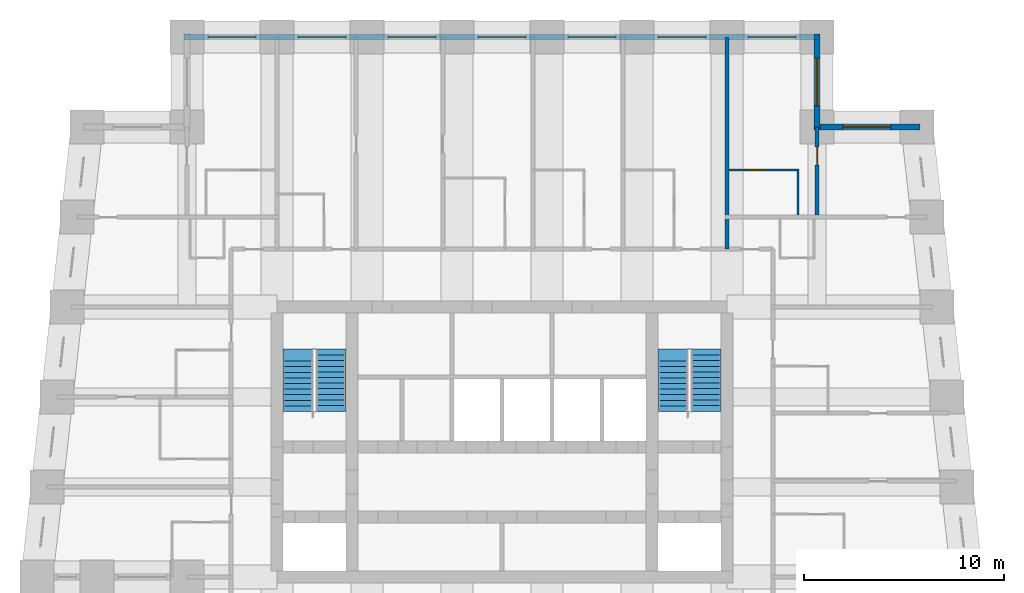
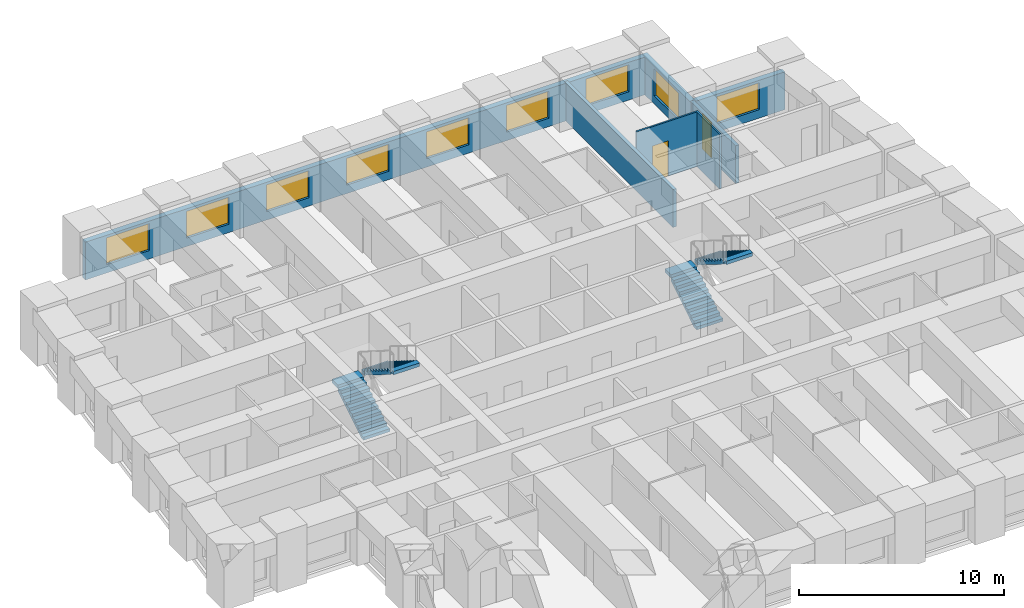
# One storey, part 7 of 8: 9 windows, 7 walls, 4 stair flights, 2 doors, 11 openings, 2 elements without a shape of their own.
"""IFC4 building model written with IfcOpenShell, lengths in metres."""

from ifc_helpers import new_model, si_unit, direction, frame, frame_2d, origin, place, context, subcontext, project, spatial, polyline, rectangle, outline, extrude, material, layer, layer_set, type_object, element, fill, aggregate, save


model = new_model("IFC4")

# Units and contexts
model_context = context("Model", 3, precision=1e-05, world=origin(), true_north=direction((0.0, 1.0)))
body_context = subcontext(model_context, "Body", "Model", "MODEL_VIEW")
ifc_project = project(units=[si_unit("LENGTHUNIT", "METRE"), si_unit("AREAUNIT", "SQUARE_METRE"), si_unit("VOLUMEUNIT", "CUBIC_METRE"), si_unit("PLANEANGLEUNIT", "RADIAN"), si_unit("MASSUNIT", "GRAM", prefix="KILO")], contexts=[model_context])

# Site, building, storey
site_placement = place(None, origin())
site = spatial("IfcSite", under=ifc_project, at=site_placement, CompositionType="ELEMENT")
building_placement = place(site_placement, origin())
building = spatial("IfcBuilding", under=site, at=building_placement, Name="Kilele Tower Hotel", CompositionType="ELEMENT")
storey_placement = place(building_placement, frame((0.0, 0.0, 179.89990234375)))
storey = spatial("IfcBuildingStorey", under=building, at=storey_placement, Name="L46", CompositionType="ELEMENT", Elevation=179.89990234375)

# Wall
ifc_material_1 = material(Name="Moisture-resistant board")
ifc_layer_1 = layer(ifc_material_1, 0.10009765625)
ifc_layer_set_1 = layer_set([ifc_layer_1], Name="Moisture-resistant board")
wall_type_1 = type_object("IfcWallType", Name="Bathroom partition 100", PredefinedType="PLUMBINGWALL", material=ifc_layer_set_1)
wall_1_placement = place(storey_placement, frame((39.550048828125, 31.60009765625, 0.0), z_axis=(0.0, 0.0, 1.0), x_axis=(0.0, 1.0, 0.0)))
element("IfcWall", 1, at=wall_1_placement, inside=storey, type_object=wall_type_1, Name="Bathroom partition 100 L46", PredefinedType="PLUMBINGWALL", context=body_context, shape_type="SweptSolid", body=[
    extrude(rectangle(XDim=2.2998046875, YDim=0.10009765625, at=frame_2d((1.14990234375, 0.0))), origin(), (0.0, 0.0, 1.0), 3.25),
])

# Wall, opening, door
wall_2_placement = place(storey_placement, frame((36.10009765625, 33.85009765625, 0.0), z_axis=(0.0, 0.0, 1.0), x_axis=(1.0, 0.0, 0.0)))
wall_2 = element("IfcWall", 2, at=wall_2_placement, inside=storey, type_object=wall_type_1, Name="Bathroom partition 100 L46", PredefinedType="PLUMBINGWALL", context=body_context, shape_type="SweptSolid", body=[
    extrude(rectangle(XDim=3.5, YDim=0.10009765625, at=frame_2d((1.75, 0.0))), origin(), (0.0, 0.0, 1.0), 3.25),
])
opening_1_placement = place(wall_2_placement, frame((0.89990234375, 0.0, 0.0)))
opening_1 = element("IfcOpeningElement", 3, at=opening_1_placement, cuts=wall_2, Name="Opening D2A", PredefinedType="OPENING", context=body_context, shape_type="SweptSolid", body=[
    extrude(rectangle(XDim=0.89990234375, YDim=2.10009765625, at=frame_2d((0.449951171875, 1.050048828125))), frame((0.0, 0.06005859375, 0.0), z_axis=(0.0, -1.0, 0.0), x_axis=(1.0, 0.0, 0.0)), (0.0, 0.0, 1.0), 0.1201171875),
])
ifc_material_2 = material(Name="Timber door leaf in hardwood frame", Category="wood")
door_type_1 = type_object("IfcDoorType", Name="Bathroom door 900", OperationType="SINGLE_SWING_LEFT", PredefinedType="DOOR", material=ifc_material_2)
door_1_placement = place(opening_1_placement, origin())
door_1 = element("IfcDoor", 4, at=door_1_placement, inside=storey, type_object=door_type_1, Name="Bathroom door 4623B", OperationType="SINGLE_SWING_LEFT", OverallHeight=2.10009765625, OverallWidth=0.89990234375, PredefinedType="DOOR", context=body_context, shape_type="SweptSolid", body=[
    extrude(rectangle(XDim=0.89990234375, YDim=2.10009765625, at=frame_2d((0.449951171875, 1.050048828125))), frame((0.0, 0.02490234375, 0.0), z_axis=(0.0, -1.0, 0.0), x_axis=(1.0, 0.0, 0.0)), (0.0, 0.0, 1.0), 0.050048828125),
])
fill(opening_1, door_1)

ifc_material_3 = material(Name="Blockwork, plastered both sides", Category="masonry")
ifc_layer_2 = layer(ifc_material_3, 0.199951171875)
ifc_layer_set_2 = layer_set([ifc_layer_2], Name="Blockwork, plastered both sides")
wall_type_2 = type_object("IfcWallType", Name="Partition wall 200", PredefinedType="PARTITIONING", material=ifc_layer_set_2)
wall_3_placement = place(storey_placement, frame((40.5, 31.60009765625, 0.0), z_axis=(0.0, 0.0, 1.0), x_axis=(0.0, 1.0, 0.0)))
wall_3 = element("IfcWall", 5, at=wall_3_placement, inside=storey, type_object=wall_type_2, Name="Partition wall 200 L46", PredefinedType="PARTITIONING", context=body_context, shape_type="SweptSolid", body=[
    extrude(rectangle(XDim=4.39990234375, YDim=0.199951171875, at=frame_2d((2.199951171875, 0.0))), origin(), (0.0, 0.0, 1.0), 2.25),
])
opening_2_placement = place(wall_3_placement, frame((2.5, 0.0, 0.0)))
opening_2 = element("IfcOpeningElement", 6, at=opening_2_placement, cuts=wall_3, Name="Opening D3", PredefinedType="OPENING", context=body_context, shape_type="SweptSolid", body=[
    extrude(rectangle(XDim=0.89990234375, YDim=2.10009765625, at=frame_2d((0.449951171875, 1.050048828125))), frame((0.0, 0.10986328125, 0.0), z_axis=(0.0, -1.0, 0.0), x_axis=(1.0, 0.0, 0.0)), (0.0, 0.0, 1.0), 0.219970703125),
])
ifc_material_4 = material(Name="Timber door leaf in hardwood frame", Category="wood")
door_type_2 = type_object("IfcDoorType", Name="Suite internal door 900", OperationType="SINGLE_SWING_LEFT", PredefinedType="DOOR", material=ifc_material_4)
door_2_placement = place(opening_2_placement, origin())
door_2 = element("IfcDoor", 7, at=door_2_placement, inside=storey, type_object=door_type_2, Name="Suite door 4624", OperationType="SINGLE_SWING_LEFT", OverallHeight=2.10009765625, OverallWidth=0.89990234375, PredefinedType="DOOR", context=body_context, shape_type="SweptSolid", body=[
    extrude(rectangle(XDim=0.89990234375, YDim=2.10009765625, at=frame_2d((0.449951171875, 1.050048828125))), frame((0.0, 0.02490234375, 0.0), z_axis=(0.0, -1.0, 0.0), x_axis=(1.0, 0.0, 0.0)), (0.0, 0.0, 1.0), 0.050048828125),
])
fill(opening_2, door_2)

# Wall
ifc_material_5 = material(Name="Blockwork, plastered both sides", Category="masonry")
ifc_layer_3 = layer(ifc_material_5, 0.199951171875)
ifc_layer_set_3 = layer_set([ifc_layer_3], Name="Blockwork, plastered both sides")
wall_type_3 = type_object("IfcWallType", Name="Party wall 200", PredefinedType="PARTITIONING", material=ifc_layer_set_3)
wall_4_placement = place(storey_placement, frame((36.0, 29.89990234375, 0.0), z_axis=(0.0, 0.0, 1.0), x_axis=(0.0, 1.0, 0.0)))
element("IfcWall", 8, at=wall_4_placement, inside=storey, type_object=wall_type_3, Name="Party wall 200 L46", PredefinedType="PARTITIONING", context=body_context, shape_type="SweptSolid", body=[
    extrude(rectangle(XDim=10.60009765625, YDim=0.199951171875, at=frame_2d((5.300048828125, 0.0))), origin(), (0.0, 0.0, 1.0), 2.25),
])

# Wall, opening, window
ifc_material_6 = material(Name="Concrete C40/50 precast", Category="concrete")
ifc_layer_4 = layer(ifc_material_6, 0.260009765625, Name="Precast backing", Category="LoadBearing")
ifc_material_7 = material(Name="Reconstituted stone finish", Category="masonry")
ifc_layer_5 = layer(ifc_material_7, 0.0400390625, Name="Face mix", Category="Finish")
ifc_layer_set_4 = layer_set([ifc_layer_4, ifc_layer_5], Name="Precast concrete C40/50, reconstituted stone finish")
wall_type_4 = type_object("IfcWallType", Name="Precast stone facade wall 300", PredefinedType="STANDARD", material=ifc_layer_set_4)
wall_5_placement = place(storey_placement, frame((45.64990234375, 36.0, 0.0), z_axis=(0.0, 0.0, 1.0), x_axis=(-1.0, 0.0, 0.0)))
wall_5 = element("IfcWall", 9, at=wall_5_placement, inside=storey, type_object=wall_type_4, Name="Facade wall L46 edge 7", PredefinedType="STANDARD", context=body_context, shape_type="SweptSolid", body=[
    extrude(rectangle(XDim=5.2998046875, YDim=0.300048828125, at=frame_2d((2.64990234375, 0.0))), origin(), (0.0, 0.0, 1.0), 2.25),
])
opening_3_placement = place(wall_5_placement, frame((1.449951171875, 0.0, 0.5)))
opening_3 = element("IfcOpeningElement", 10, at=opening_3_placement, cuts=wall_5, Name="Opening W3", PredefinedType="OPENING", context=body_context, shape_type="SweptSolid", body=[
    extrude(rectangle(XDim=2.39990234375, YDim=1.60009765625, at=frame_2d((1.199951171875, 0.800048828125))), frame((0.0, 0.159912109375, 0.0), z_axis=(0.0, -1.0, 0.0), x_axis=(1.0, 0.0, 0.0)), (0.0, 0.0, 1.0), 0.320068359375),
])
ifc_material_8 = material(Name="Aluminium frame, clear double glazing", Category="aluminium")
window_type = type_object("IfcWindowType", Name="Window W3 2400 x 1600", PartitioningType="SINGLE_PANEL", PredefinedType="WINDOW", material=ifc_material_8)
window_1_placement = place(opening_3_placement, origin())
window_1 = element("IfcWindow", 11, at=window_1_placement, inside=storey, type_object=window_type, Name="Window L46", OverallHeight=1.60009765625, OverallWidth=2.39990234375, PartitioningType="SINGLE_PANEL", PredefinedType="WINDOW", context=body_context, shape_type="SweptSolid", body=[
    extrude(rectangle(XDim=2.39990234375, YDim=1.60009765625, at=frame_2d((1.199951171875, 0.800048828125))), frame((0.0, 0.030029296875, 0.0), z_axis=(0.0, -1.0, 0.0), x_axis=(1.0, 0.0, 0.0)), (0.0, 0.0, 1.0), 0.06005859375),
])
fill(opening_3, window_1)

wall_6_placement = place(storey_placement, frame((40.5, 35.85009765625, 0.0), z_axis=(0.0, 0.0, 1.0), x_axis=(0.0, 1.0, 0.0)))
wall_6 = element("IfcWall", 12, at=wall_6_placement, inside=storey, type_object=wall_type_4, Name="Facade wall L46 edge 8", PredefinedType="STANDARD", context=body_context, shape_type="SweptSolid", body=[
    extrude(rectangle(XDim=4.7998046875, YDim=0.300048828125, at=frame_2d((2.39990234375, 0.0))), origin(), (0.0, 0.0, 1.0), 2.25),
])
opening_4_placement = place(wall_6_placement, frame((1.199951171875, 0.0, 0.5)))
opening_4 = element("IfcOpeningElement", 13, at=opening_4_placement, cuts=wall_6, Name="Opening W3", PredefinedType="OPENING", context=body_context, shape_type="SweptSolid", body=[
    extrude(rectangle(XDim=2.39990234375, YDim=1.60009765625, at=frame_2d((1.199951171875, 0.800048828125))), frame((0.0, 0.159912109375, 0.0), z_axis=(0.0, -1.0, 0.0), x_axis=(1.0, 0.0, 0.0)), (0.0, 0.0, 1.0), 0.320068359375),
])
window_2_placement = place(opening_4_placement, origin())
window_2 = element("IfcWindow", 14, at=window_2_placement, inside=storey, type_object=window_type, Name="Window L46", OverallHeight=1.60009765625, OverallWidth=2.39990234375, PartitioningType="SINGLE_PANEL", PredefinedType="WINDOW", context=body_context, shape_type="SweptSolid", body=[
    extrude(rectangle(XDim=2.39990234375, YDim=1.60009765625, at=frame_2d((1.199951171875, 0.800048828125))), frame((0.0, 0.030029296875, 0.0), z_axis=(0.0, -1.0, 0.0), x_axis=(1.0, 0.0, 0.0)), (0.0, 0.0, 1.0), 0.06005859375),
])
fill(opening_4, window_2)

# Wall, openings, windows
wall_7_placement = place(storey_placement, frame((40.64990234375, 40.5, 0.0), z_axis=(0.0, 0.0, 1.0), x_axis=(-1.0, 0.0, 0.0)))
wall_7 = element("IfcWall", 15, at=wall_7_placement, inside=storey, type_object=wall_type_4, Name="Facade wall L46 edge 9", PredefinedType="STANDARD", context=body_context, shape_type="SweptSolid", body=[
    extrude(rectangle(XDim=31.7998046875, YDim=0.300048828125, at=frame_2d((15.89990234375, 0.0))), origin(), (0.0, 0.0, 1.0), 2.25),
])
opening_5_placement = place(wall_7_placement, frame((1.199951171875, 0.0, 0.5)))
opening_5 = element("IfcOpeningElement", 16, at=opening_5_placement, cuts=wall_7, Name="Opening W3", PredefinedType="OPENING", context=body_context, shape_type="SweptSolid", body=[
    extrude(rectangle(XDim=2.39990234375, YDim=1.60009765625, at=frame_2d((1.199951171875, 0.800048828125))), frame((0.0, 0.159912109375, 0.0), z_axis=(0.0, -1.0, 0.0), x_axis=(1.0, 0.0, 0.0)), (0.0, 0.0, 1.0), 0.320068359375),
])
opening_6_placement = place(wall_7_placement, frame((5.699951171875, 0.0, 0.5)))
opening_6 = element("IfcOpeningElement", 17, at=opening_6_placement, cuts=wall_7, Name="Opening W3", PredefinedType="OPENING", context=body_context, shape_type="SweptSolid", body=[
    extrude(rectangle(XDim=2.39990234375, YDim=1.60009765625, at=frame_2d((1.199951171875, 0.800048828125))), frame((0.0, 0.159912109375, 0.0), z_axis=(0.0, -1.0, 0.0), x_axis=(1.0, 0.0, 0.0)), (0.0, 0.0, 1.0), 0.320068359375),
])
opening_7_placement = place(wall_7_placement, frame((10.199951171875, 0.0, 0.5)))
opening_7 = element("IfcOpeningElement", 18, at=opening_7_placement, cuts=wall_7, Name="Opening W3", PredefinedType="OPENING", context=body_context, shape_type="SweptSolid", body=[
    extrude(rectangle(XDim=2.39990234375, YDim=1.60009765625, at=frame_2d((1.199951171875, 0.800048828125))), frame((0.0, 0.159912109375, 0.0), z_axis=(0.0, -1.0, 0.0), x_axis=(1.0, 0.0, 0.0)), (0.0, 0.0, 1.0), 0.320068359375),
])
opening_8_placement = place(wall_7_placement, frame((14.699951171875, 0.0, 0.5)))
opening_8 = element("IfcOpeningElement", 19, at=opening_8_placement, cuts=wall_7, Name="Opening W3", PredefinedType="OPENING", context=body_context, shape_type="SweptSolid", body=[
    extrude(rectangle(XDim=2.39990234375, YDim=1.60009765625, at=frame_2d((1.199951171875, 0.800048828125))), frame((0.0, 0.159912109375, 0.0), z_axis=(0.0, -1.0, 0.0), x_axis=(1.0, 0.0, 0.0)), (0.0, 0.0, 1.0), 0.320068359375),
])
opening_9_placement = place(wall_7_placement, frame((19.199951171875, 0.0, 0.5)))
opening_9 = element("IfcOpeningElement", 20, at=opening_9_placement, cuts=wall_7, Name="Opening W3", PredefinedType="OPENING", context=body_context, shape_type="SweptSolid", body=[
    extrude(rectangle(XDim=2.39990234375, YDim=1.60009765625, at=frame_2d((1.199951171875, 0.800048828125))), frame((0.0, 0.159912109375, 0.0), z_axis=(0.0, -1.0, 0.0), x_axis=(1.0, 0.0, 0.0)), (0.0, 0.0, 1.0), 0.320068359375),
])
opening_10_placement = place(wall_7_placement, frame((23.699951171875, 0.0, 0.5)))
opening_10 = element("IfcOpeningElement", 21, at=opening_10_placement, cuts=wall_7, Name="Opening W3", PredefinedType="OPENING", context=body_context, shape_type="SweptSolid", body=[
    extrude(rectangle(XDim=2.39990234375, YDim=1.60009765625, at=frame_2d((1.199951171875, 0.800048828125))), frame((0.0, 0.159912109375, 0.0), z_axis=(0.0, -1.0, 0.0), x_axis=(1.0, 0.0, 0.0)), (0.0, 0.0, 1.0), 0.320068359375),
])
opening_11_placement = place(wall_7_placement, frame((28.199951171875, 0.0, 0.5)))
opening_11 = element("IfcOpeningElement", 22, at=opening_11_placement, cuts=wall_7, Name="Opening W3", PredefinedType="OPENING", context=body_context, shape_type="SweptSolid", body=[
    extrude(rectangle(XDim=2.39990234375, YDim=1.60009765625, at=frame_2d((1.199951171875, 0.800048828125))), frame((0.0, 0.159912109375, 0.0), z_axis=(0.0, -1.0, 0.0), x_axis=(1.0, 0.0, 0.0)), (0.0, 0.0, 1.0), 0.320068359375),
])
window_3_placement = place(opening_5_placement, origin())
window_3 = element("IfcWindow", 23, at=window_3_placement, inside=storey, type_object=window_type, Name="Window L46", OverallHeight=1.60009765625, OverallWidth=2.39990234375, PartitioningType="SINGLE_PANEL", PredefinedType="WINDOW", context=body_context, shape_type="SweptSolid", body=[
    extrude(rectangle(XDim=2.39990234375, YDim=1.60009765625, at=frame_2d((1.199951171875, 0.800048828125))), frame((0.0, 0.030029296875, 0.0), z_axis=(0.0, -1.0, 0.0), x_axis=(1.0, 0.0, 0.0)), (0.0, 0.0, 1.0), 0.06005859375),
])
fill(opening_5, window_3)
window_4_placement = place(opening_6_placement, origin())
window_4 = element("IfcWindow", 24, at=window_4_placement, inside=storey, type_object=window_type, Name="Window L46", OverallHeight=1.60009765625, OverallWidth=2.39990234375, PartitioningType="SINGLE_PANEL", PredefinedType="WINDOW", context=body_context, shape_type="SweptSolid", body=[
    extrude(rectangle(XDim=2.39990234375, YDim=1.60009765625, at=frame_2d((1.199951171875, 0.800048828125))), frame((0.0, 0.030029296875, 0.0), z_axis=(0.0, -1.0, 0.0), x_axis=(1.0, 0.0, 0.0)), (0.0, 0.0, 1.0), 0.06005859375),
])
fill(opening_6, window_4)
window_5_placement = place(opening_7_placement, origin())
window_5 = element("IfcWindow", 25, at=window_5_placement, inside=storey, type_object=window_type, Name="Window L46", OverallHeight=1.60009765625, OverallWidth=2.39990234375, PartitioningType="SINGLE_PANEL", PredefinedType="WINDOW", context=body_context, shape_type="SweptSolid", body=[
    extrude(rectangle(XDim=2.39990234375, YDim=1.60009765625, at=frame_2d((1.199951171875, 0.800048828125))), frame((0.0, 0.030029296875, 0.0), z_axis=(0.0, -1.0, 0.0), x_axis=(1.0, 0.0, 0.0)), (0.0, 0.0, 1.0), 0.06005859375),
])
fill(opening_7, window_5)
window_6_placement = place(opening_8_placement, origin())
window_6 = element("IfcWindow", 26, at=window_6_placement, inside=storey, type_object=window_type, Name="Window L46", OverallHeight=1.60009765625, OverallWidth=2.39990234375, PartitioningType="SINGLE_PANEL", PredefinedType="WINDOW", context=body_context, shape_type="SweptSolid", body=[
    extrude(rectangle(XDim=2.39990234375, YDim=1.60009765625, at=frame_2d((1.199951171875, 0.800048828125))), frame((0.0, 0.030029296875, 0.0), z_axis=(0.0, -1.0, 0.0), x_axis=(1.0, 0.0, 0.0)), (0.0, 0.0, 1.0), 0.06005859375),
])
fill(opening_8, window_6)
window_7_placement = place(opening_9_placement, origin())
window_7 = element("IfcWindow", 27, at=window_7_placement, inside=storey, type_object=window_type, Name="Window L46", OverallHeight=1.60009765625, OverallWidth=2.39990234375, PartitioningType="SINGLE_PANEL", PredefinedType="WINDOW", context=body_context, shape_type="SweptSolid", body=[
    extrude(rectangle(XDim=2.39990234375, YDim=1.60009765625, at=frame_2d((1.199951171875, 0.800048828125))), frame((0.0, 0.030029296875, 0.0), z_axis=(0.0, -1.0, 0.0), x_axis=(1.0, 0.0, 0.0)), (0.0, 0.0, 1.0), 0.06005859375),
])
fill(opening_9, window_7)
window_8_placement = place(opening_10_placement, origin())
window_8 = element("IfcWindow", 28, at=window_8_placement, inside=storey, type_object=window_type, Name="Window L46", OverallHeight=1.60009765625, OverallWidth=2.39990234375, PartitioningType="SINGLE_PANEL", PredefinedType="WINDOW", context=body_context, shape_type="SweptSolid", body=[
    extrude(rectangle(XDim=2.39990234375, YDim=1.60009765625, at=frame_2d((1.199951171875, 0.800048828125))), frame((0.0, 0.030029296875, 0.0), z_axis=(0.0, -1.0, 0.0), x_axis=(1.0, 0.0, 0.0)), (0.0, 0.0, 1.0), 0.06005859375),
])
fill(opening_10, window_8)
window_9_placement = place(opening_11_placement, origin())
window_9 = element("IfcWindow", 29, at=window_9_placement, inside=storey, type_object=window_type, Name="Window L46", OverallHeight=1.60009765625, OverallWidth=2.39990234375, PartitioningType="SINGLE_PANEL", PredefinedType="WINDOW", context=body_context, shape_type="SweptSolid", body=[
    extrude(rectangle(XDim=2.39990234375, YDim=1.60009765625, at=frame_2d((1.199951171875, 0.800048828125))), frame((0.0, 0.030029296875, 0.0), z_axis=(0.0, -1.0, 0.0), x_axis=(1.0, 0.0, 0.0)), (0.0, 0.0, 1.0), 0.06005859375),
])
fill(opening_11, window_9)

# Stair, stair flights
ifc_material_9 = material(Name="Precast concrete C40/50", Category="concrete")
stair_type = type_object("IfcStairType", Name="Stair 1475 x 3500", PredefinedType="HALF_TURN_STAIR", material=ifc_material_9)
stair_1_placement = place(storey_placement, origin())
stair_1 = element("IfcStair", 30, at=stair_1_placement, inside=storey, type_object=stair_type, Name="Stair 1 L46", PredefinedType="HALF_TURN_STAIR")
ifc_material_10 = material(Name="Precast concrete C40/50", Category="concrete")
stair_flight_type = type_object("IfcStairFlightType", Name="Flight 1475 riser 175.0", PredefinedType="STRAIGHT", material=ifc_material_10)
stair_flight_1_placement = place(storey_placement, frame((14.53759765625, 21.77490234375, 0.0), z_axis=(0.0, 0.0, 1.0), x_axis=(0.0, 1.0, 0.0)))
stair_flight_1 = element("IfcStairFlight", 31, at=stair_flight_1_placement, type_object=stair_flight_type, Name="ST1 flight 1", NumberOfRisers=10, NumberOfTreads=9, PredefinedType="STRAIGHT", RiserHeight=0.175, TreadLength=0.28, context=body_context, shape_type="SweptSolid", body=[
    extrude(outline(polyline([(0.0, 0.0), (0.0, 0.175048828125), (0.280029296875, 0.175048828125), (0.280029296875, 0.35009765625), (0.56005859375, 0.35009765625), (0.56005859375, 0.52490234375), (0.840087890625, 0.52490234375), (0.840087890625, 0.699951171875), (1.1201171875, 0.699951171875), (1.1201171875, 0.875), (1.39990234375, 0.875), (1.39990234375, 1.050048828125), (1.679931640625, 1.050048828125), (1.679931640625, 1.22509765625), (1.9599609375, 1.22509765625), (1.9599609375, 1.39990234375), (2.239990234375, 1.39990234375), (2.239990234375, 1.574951171875), (2.52001953125, 1.574951171875), (2.52001953125, 1.75), (2.52001953125, 1.398193359375), (0.28271484375, 0.0), (0.0, 0.0)])), frame((0.0, 0.737548828125, 0.0), z_axis=(0.0, -1.0, 0.0), x_axis=(1.0, 0.0, 0.0)), (0.0, 0.0, 1.0), 1.47509765625),
    extrude(outline(polyline([(2.52001953125, 0.737548828125), (2.52001953125, -0.7373046875), (3.1201171875, -0.7373046875), (3.1201171875, 0.737548828125), (2.52001953125, 0.737548828125)])), frame((0.0, 0.0, 1.550048828125)), (0.0, 0.0, 1.0), 0.199951171875),
])
stair_flight_2_placement = place(storey_placement, frame((16.21240234375, 24.594970703125, 1.75), z_axis=(0.0, 0.0, 1.0), x_axis=(0.0, -1.0, 0.0)))
stair_flight_2 = element("IfcStairFlight", 32, at=stair_flight_2_placement, type_object=stair_flight_type, Name="ST1 flight 2", NumberOfRisers=10, NumberOfTreads=9, PredefinedType="STRAIGHT", RiserHeight=0.175, TreadLength=0.28, context=body_context, shape_type="SweptSolid", body=[
    extrude(outline(polyline([(0.0, 0.0), (0.0, 0.175048828125), (0.280029296875, 0.175048828125), (0.280029296875, 0.35009765625), (0.56005859375, 0.35009765625), (0.56005859375, 0.52490234375), (0.840087890625, 0.52490234375), (0.840087890625, 0.699951171875), (1.1201171875, 0.699951171875), (1.1201171875, 0.875), (1.39990234375, 0.875), (1.39990234375, 1.050048828125), (1.679931640625, 1.050048828125), (1.679931640625, 1.22509765625), (1.9599609375, 1.22509765625), (1.9599609375, 1.39990234375), (2.239990234375, 1.39990234375), (2.239990234375, 1.574951171875), (2.52001953125, 1.574951171875), (2.52001953125, 1.75), (2.52001953125, 1.398193359375), (0.28271484375, 0.0), (0.0, 0.0)])), frame((0.0, 0.737548828125, 0.0), z_axis=(0.0, -1.0, 0.0), x_axis=(1.0, 0.0, 0.0)), (0.0, 0.0, 1.0), 1.47509765625),
    extrude(outline(polyline([(0.0, -0.7373046875), (0.0, 0.737548828125), (-0.300048828125, 0.737548828125), (-0.300048828125, -0.7373046875), (0.0, -0.7373046875)])), frame((0.0, 0.0, -0.199951171875)), (0.0, 0.0, 1.0), 0.199951171875),
    extrude(outline(polyline([(2.820068359375, -0.7373046875), (2.820068359375, 0.737548828125), (2.52001953125, 0.737548828125), (2.52001953125, -0.7373046875), (2.820068359375, -0.7373046875)])), frame((0.0, 0.0, 1.550048828125)), (0.0, 0.0, 1.0), 0.199951171875),
])
aggregate(stair_1, [stair_flight_1, stair_flight_2])

stair_2_placement = place(storey_placement, origin())
stair_2 = element("IfcStair", 33, at=stair_2_placement, inside=storey, type_object=stair_type, Name="Stair 2 L46", PredefinedType="HALF_TURN_STAIR")
stair_flight_3_placement = place(storey_placement, frame((33.28759765625, 21.77490234375, 0.0), z_axis=(0.0, 0.0, 1.0), x_axis=(0.0, 1.0, 0.0)))
stair_flight_3 = element("IfcStairFlight", 34, at=stair_flight_3_placement, type_object=stair_flight_type, Name="ST2 flight 1", NumberOfRisers=10, NumberOfTreads=9, PredefinedType="STRAIGHT", RiserHeight=0.175, TreadLength=0.28, context=body_context, shape_type="SweptSolid", body=[
    extrude(outline(polyline([(0.0, 0.0), (0.0, 0.175048828125), (0.280029296875, 0.175048828125), (0.280029296875, 0.35009765625), (0.56005859375, 0.35009765625), (0.56005859375, 0.52490234375), (0.840087890625, 0.52490234375), (0.840087890625, 0.699951171875), (1.1201171875, 0.699951171875), (1.1201171875, 0.875), (1.39990234375, 0.875), (1.39990234375, 1.050048828125), (1.679931640625, 1.050048828125), (1.679931640625, 1.22509765625), (1.9599609375, 1.22509765625), (1.9599609375, 1.39990234375), (2.239990234375, 1.39990234375), (2.239990234375, 1.574951171875), (2.52001953125, 1.574951171875), (2.52001953125, 1.75), (2.52001953125, 1.398193359375), (0.28271484375, 0.0), (0.0, 0.0)])), frame((0.0, 0.737548828125, 0.0), z_axis=(0.0, -1.0, 0.0), x_axis=(1.0, 0.0, 0.0)), (0.0, 0.0, 1.0), 1.47509765625),
    extrude(outline(polyline([(2.52001953125, 0.737548828125), (2.52001953125, -0.7373046875), (3.1201171875, -0.7373046875), (3.1201171875, 0.737548828125), (2.52001953125, 0.737548828125)])), frame((0.0, 0.0, 1.550048828125)), (0.0, 0.0, 1.0), 0.199951171875),
])
stair_flight_4_placement = place(storey_placement, frame((34.96240234375, 24.594970703125, 1.75), z_axis=(0.0, 0.0, 1.0), x_axis=(0.0, -1.0, 0.0)))
stair_flight_4 = element("IfcStairFlight", 35, at=stair_flight_4_placement, type_object=stair_flight_type, Name="ST2 flight 2", NumberOfRisers=10, NumberOfTreads=9, PredefinedType="STRAIGHT", RiserHeight=0.175, TreadLength=0.28, context=body_context, shape_type="SweptSolid", body=[
    extrude(outline(polyline([(0.0, 0.0), (0.0, 0.175048828125), (0.280029296875, 0.175048828125), (0.280029296875, 0.35009765625), (0.56005859375, 0.35009765625), (0.56005859375, 0.52490234375), (0.840087890625, 0.52490234375), (0.840087890625, 0.699951171875), (1.1201171875, 0.699951171875), (1.1201171875, 0.875), (1.39990234375, 0.875), (1.39990234375, 1.050048828125), (1.679931640625, 1.050048828125), (1.679931640625, 1.22509765625), (1.9599609375, 1.22509765625), (1.9599609375, 1.39990234375), (2.239990234375, 1.39990234375), (2.239990234375, 1.574951171875), (2.52001953125, 1.574951171875), (2.52001953125, 1.75), (2.52001953125, 1.398193359375), (0.28271484375, 0.0), (0.0, 0.0)])), frame((0.0, 0.737548828125, 0.0), z_axis=(0.0, -1.0, 0.0), x_axis=(1.0, 0.0, 0.0)), (0.0, 0.0, 1.0), 1.47509765625),
    extrude(outline(polyline([(0.0, -0.7373046875), (0.0, 0.737548828125), (-0.300048828125, 0.737548828125), (-0.300048828125, -0.7373046875), (0.0, -0.7373046875)])), frame((0.0, 0.0, -0.199951171875)), (0.0, 0.0, 1.0), 0.199951171875),
    extrude(outline(polyline([(2.820068359375, -0.7373046875), (2.820068359375, 0.737548828125), (2.52001953125, 0.737548828125), (2.52001953125, -0.7373046875), (2.820068359375, -0.7373046875)])), frame((0.0, 0.0, 1.550048828125)), (0.0, 0.0, 1.0), 0.199951171875),
])
aggregate(stair_2, [stair_flight_3, stair_flight_4])

save(model, "model.ifc")
